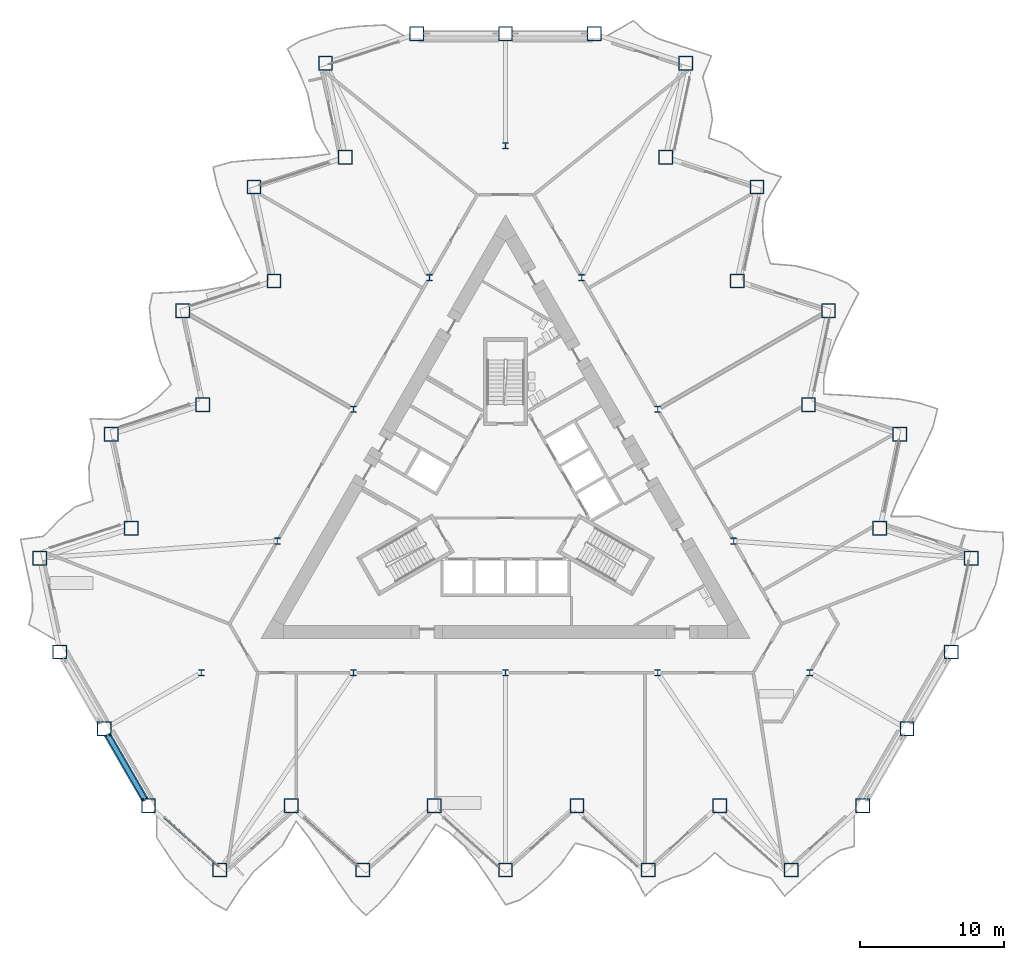
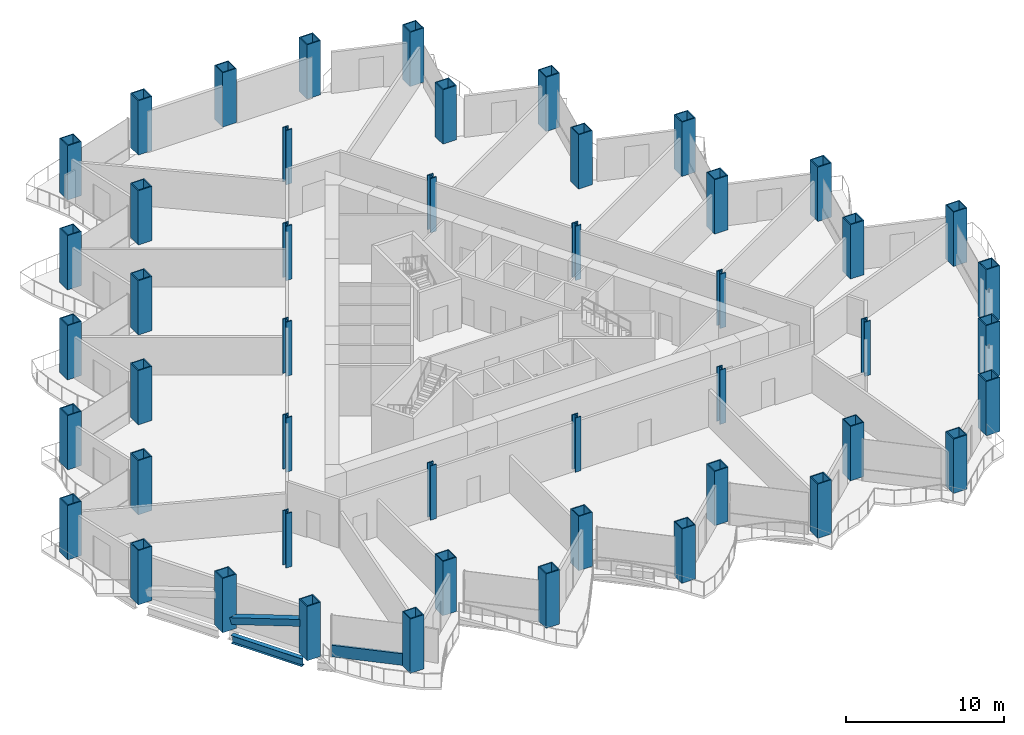
# One storey, part 1 of 21: 48 columns, 2 members, 1 beam, 1 element without a shape of its own.
"""IFC4 building model written with IfcOpenShell, lengths in metres."""

from ifc_helpers import new_model, si_unit, direction, frame, origin, origin_2d, place, context, subcontext, project, spatial, rectangle, hollow_rectangle, i_section, extrude, material, layer, layer_set, material_profile, profile_set, type_object, element, aggregate, save


model = new_model("IFC4")

# Units and contexts
model_context = context("Model", 3, precision=1e-05, world=origin(), true_north=direction((0.0, 1.0)))
body_context = subcontext(model_context, "Body", "Model", "MODEL_VIEW")
ifc_project = project(units=[si_unit("LENGTHUNIT", "METRE"), si_unit("AREAUNIT", "SQUARE_METRE"), si_unit("VOLUMEUNIT", "CUBIC_METRE"), si_unit("PLANEANGLEUNIT", "RADIAN"), si_unit("MASSUNIT", "GRAM", prefix="KILO")], contexts=[model_context])

# Site, building, storey
site_placement = place(None, origin())
site = spatial("IfcSite", under=ifc_project, at=site_placement, CompositionType="ELEMENT")
building_placement = place(site_placement, origin())
building = spatial("IfcBuilding", under=site, at=building_placement, Name="Cormorant Prow Tower", CompositionType="ELEMENT")
storey_placement = place(building_placement, frame((0.0, 0.0, 51.0)))
storey = spatial("IfcBuildingStorey", under=building, at=storey_placement, Name="L10", CompositionType="ELEMENT", Elevation=51.0)

# Columns
ifc_material_1 = material(Name="Structural steel ASTM A572 Gr 50", Category="steel")
ifc_material_profile_1 = material_profile(ifc_material_1, hollow_rectangle(XDim=1.0, YDim=1.0, WallThickness=0.070068359375, at=origin_2d()), Name="Box 1000x1000x70")
ifc_profile_set_1 = profile_set([ifc_material_profile_1], Name="Structural steel ASTM A572 Gr 50")
column_type_1 = type_object("IfcColumnType", Name="Perimeter box column 1000x1000x70", PredefinedType="COLUMN", material=ifc_profile_set_1)
for number, where, z_axis, x_axis, name in (
    (1, (-24.830322265625, -21.4599609375, 0.0), (0.0, 0.0, 1.0), (1.0, 0.0, 0.0), "Perimeter column C2 at S00 L10"),
    (2, (-19.8642578125, -25.931396484375, 0.0), (0.0, 0.0, 1.0), (1.0, 0.0, 0.0), "Perimeter column C2 at S01 L10"),
    (3, (-14.898193359375, -21.4599609375, 0.0), (0.0, 0.0, 1.0), (1.0, 0.0, 0.0), "Perimeter column C2 at S02 L10"),
    (4, (-9.93212890625, -25.931396484375, 0.0), (0.0, 0.0, 1.0), (1.0, 0.0, 0.0), "Perimeter column C2 at S03 L10"),
    (5, (-4.966064453125, -21.4599609375, 0.0), (0.0, 0.0, 1.0), (1.0, 0.0, 0.0), "Perimeter column C2 at S04 L10"),
    (6, (0.0, -25.931396484375, 0.0), (0.0, 0.0, 1.0), (1.0, 0.0, 0.0), "Perimeter column C2 at S05 L10"),
    (7, (4.966064453125, -21.4599609375, 0.0), (0.0, 0.0, 1.0), (1.0, 0.0, 0.0), "Perimeter column C2 at S06 L10"),
    (8, (9.93212890625, -25.931396484375, 0.0), (0.0, 0.0, 1.0), (1.0, 0.0, 0.0), "Perimeter column C2 at S07 L10"),
    (9, (14.898193359375, -21.4599609375, 0.0), (0.0, 0.0, 1.0), (1.0, 0.0, 0.0), "Perimeter column C2 at S08 L10"),
    (10, (19.8642578125, -25.931396484375, 0.0), (0.0, 0.0, 1.0), (1.0, 0.0, 0.0), "Perimeter column C2 at S09 L10"),
    (11, (24.830322265625, -21.4599609375, 0.0), (0.0, 0.0, 1.0), (1.0, 0.0, 0.0), "Perimeter column C2 at ESE00 L10"),
    (12, (27.915283203125, -16.116943359375, 0.0), (0.0, 0.0, 1.0), (1.0, 0.0, 0.0), "Perimeter column C2 at ESE01 L10"),
    (13, (31.0, -10.773681640625, 0.0), (0.0, 0.0, 1.0), (1.0, 0.0, 0.0), "Perimeter column C2 at ENE00 L10"),
    (14, (32.389404296875, -4.2373046875, 0.0), (0.0, 0.0, 1.0), (1.0, 0.0, 0.0), "Perimeter column C2 at ENE01 L10"),
    (15, (26.033935546875, -2.17236328125, 0.0), (0.0, 0.0, 1.0), (1.0, 0.0, 0.0), "Perimeter column C2 at ENE02 L10"),
    (16, (27.42333984375, 4.3642578125, 0.0), (0.0, 0.0, 1.0), (1.0, 0.0, 0.0), "Perimeter column C2 at ENE03 L10"),
    (17, (21.06787109375, 6.42919921875, 0.0), (0.0, 0.0, 1.0), (1.0, 0.0, 0.0), "Perimeter column C2 at ENE04 L10"),
    (18, (22.457275390625, 12.965576171875, 0.0), (0.0, 0.0, 1.0), (1.0, 0.0, 0.0), "Perimeter column C2 at ENE05 L10"),
    (19, (16.101806640625, 15.03076171875, 0.0), (0.0, 0.0, 1.0), (1.0, 0.0, 0.0), "Perimeter column C2 at ENE06 L10"),
    (20, (17.4912109375, 21.567138671875, 0.0), (0.0, 0.0, 1.0), (1.0, 0.0, 0.0), "Perimeter column C2 at ENE07 L10"),
    (21, (11.1357421875, 23.632080078125, 0.0), (0.0, 0.0, 1.0), (1.0, 0.0, 0.0), "Perimeter column C2 at ENE08 L10"),
    (22, (12.525146484375, 30.168701171875, 0.0), (0.0, 0.0, 1.0), (1.0, 0.0, 0.0), "Perimeter column C2 at ENE09 L10"),
    (23, (6.169677734375, 32.233642578125, 0.0), (0.0, 0.0, 1.0), (1.0, 0.0, 0.0), "Perimeter column C2 at N00 L10"),
    (24, (0.0, 32.233642578125, 0.0), (0.0, 0.0, 1.0), (1.0, 0.0, 0.0), "Perimeter column C2 at N01 L10"),
    (25, (-6.169677734375, 32.233642578125, 0.0), (0.0, 0.0, 1.0), (1.0, 0.0, 0.0), "Perimeter column C2 at WNW00 L10"),
    (26, (-12.525146484375, 30.168701171875, 0.0), (0.0, 0.0, 1.0), (1.0, 0.0, 0.0), "Perimeter column C2 at WNW01 L10"),
    (27, (-11.1357421875, 23.632080078125, 0.0), (0.0, 0.0, 1.0), (1.0, 0.0, 0.0), "Perimeter column C2 at WNW02 L10"),
    (28, (-17.4912109375, 21.567138671875, 0.0), (0.0, 0.0, 1.0), (1.0, 0.0, 0.0), "Perimeter column C2 at WNW03 L10"),
    (29, (-16.101806640625, 15.03076171875, 0.0), (0.0, 0.0, 1.0), (1.0, 0.0, 0.0), "Perimeter column C2 at WNW04 L10"),
    (30, (-22.457275390625, 12.965576171875, 0.0), (0.0, 0.0, 1.0), (1.0, 0.0, 0.0), "Perimeter column C2 at WNW05 L10"),
    (31, (-21.06787109375, 6.42919921875, 0.0), (0.0, 0.0, 1.0), (1.0, 0.0, 0.0), "Perimeter column C2 at WNW06 L10"),
    (32, (-27.42333984375, 4.3642578125, 0.0), (0.0, 0.0, 1.0), (1.0, 0.0, 0.0), "Perimeter column C2 at WNW07 L10"),
    (33, (-26.033935546875, -2.17236328125, 0.0), (0.0, 0.0, 1.0), (1.0, 0.0, 0.0), "Perimeter column C2 at WNW08 L10"),
    (34, (-32.389404296875, -4.2373046875, 0.0), (0.0, 0.0, 1.0), (1.0, 0.0, 0.0), "Perimeter column C2 at WNW09 L10"),
    (35, (-31.0, -10.773681640625, 0.0), (0.0, 0.0, 1.0), (1.0, 0.0, 0.0), "Perimeter column C2 at WSW00 L10"),
    (36, (-27.915283203125, -16.116943359375, 0.0), (0.0, 0.0, 1.0), (1.0, 0.0, 0.0), "Perimeter column C2 at WSW01 L10"),
):
    element("IfcColumn", number, at=place(storey_placement, frame(where, z_axis=z_axis, x_axis=x_axis)), inside=storey, type_object=column_type_1, Name=name, PredefinedType="COLUMN", context=body_context, shape_type="SweptSolid", body=[
        extrude(hollow_rectangle(XDim=1.0, YDim=1.0, WallThickness=0.070068359375, at=origin_2d()), origin(), (0.0, 0.0, 1.0), 4.199951171875),
    ])
ifc_material_2 = material(Name="Structural steel ASTM A992 Gr 50", Category="steel")
ifc_material_profile_2 = material_profile(ifc_material_2, i_section(OverallWidth=0.42138671875, OverallDepth=0.464599609375, WebThickness=0.044921875, FlangeThickness=0.072265625, at=origin_2d()), Name="W14x398")
ifc_profile_set_2 = profile_set([ifc_material_profile_2], Name="Structural steel ASTM A992 Gr 50")
column_type_2 = type_object("IfcColumnType", Name="Ring column W14x398", PredefinedType="COLUMN", material=ifc_profile_set_2)
for number, where, z_axis, x_axis, name in (
    (37, (0.0, 24.429931640625, 0.0), (0.0, 0.0, 1.0), (1.0, 0.0, 0.0), "Ring column 1 L10"),
    (38, (-5.289306640625, 15.268798828125, 0.0), (0.0, 0.0, 1.0), (1.0, 0.0, 0.0), "Ring column 2 L10"),
    (39, (-10.578369140625, 6.107421875, 0.0), (0.0, 0.0, 1.0), (1.0, 0.0, 0.0), "Ring column 3 L10"),
    (40, (-15.86767578125, -3.0537109375, 0.0), (0.0, 0.0, 1.0), (1.0, 0.0, 0.0), "Ring column 4 L10"),
    (41, (-21.156982421875, -12.21484375, 0.0), (0.0, 0.0, 1.0), (1.0, 0.0, 0.0), "Ring column 5 L10"),
    (42, (-10.578369140625, -12.21484375, 0.0), (0.0, 0.0, 1.0), (1.0, 0.0, 0.0), "Ring column 6 L10"),
    (43, (0.0, -12.21484375, 0.0), (0.0, 0.0, 1.0), (1.0, 0.0, 0.0), "Ring column 7 L10"),
    (44, (10.578369140625, -12.21484375, 0.0), (0.0, 0.0, 1.0), (1.0, 0.0, 0.0), "Ring column 8 L10"),
    (45, (21.156982421875, -12.21484375, 0.0), (0.0, 0.0, 1.0), (1.0, 0.0, 0.0), "Ring column 9 L10"),
    (46, (15.86767578125, -3.0537109375, 0.0), (0.0, 0.0, 1.0), (1.0, 0.0, 0.0), "Ring column 10 L10"),
    (47, (10.578369140625, 6.107421875, 0.0), (0.0, 0.0, 1.0), (1.0, 0.0, 0.0), "Ring column 11 L10"),
    (48, (5.289306640625, 15.268798828125, 0.0), (0.0, 0.0, 1.0), (1.0, 0.0, 0.0), "Ring column 12 L10"),
):
    element("IfcColumn", number, at=place(storey_placement, frame(where, z_axis=z_axis, x_axis=x_axis)), inside=storey, type_object=column_type_2, Name=name, PredefinedType="COLUMN", context=body_context, shape_type="SweptSolid", body=[
        extrude(i_section(OverallWidth=0.42138671875, OverallDepth=0.464599609375, WebThickness=0.044921875, FlangeThickness=0.072265625, at=origin_2d()), origin(), (0.0, 0.0, 1.0), 4.199951171875),
    ])

# Member
ifc_material_3 = material(Name="Structural steel ASTM A500 Gr C", Category="steel")
ifc_material_profile_3 = material_profile(ifc_material_3, hollow_rectangle(XDim=0.508056640625, YDim=0.508056640625, WallThickness=0.014892578125, at=origin_2d()), Name="HSS20x20x5/8")
ifc_profile_set_3 = profile_set([ifc_material_profile_3], Name="Structural steel ASTM A500 Gr C")
member_type_1 = type_object("IfcMemberType", Name="Chamfer brace HSS20x20x5/8", PredefinedType="BRACE", material=ifc_profile_set_3)
member_1_placement = place(storey_placement, frame((-27.65576171875, -16.566162109375, 0.767333984375), z_axis=(0.475899695849, -0.824255918841, 0.306792535351), x_axis=(0.866018434186, 0.500012071504, 0.0)))
element("IfcMember", 49, at=member_1_placement, inside=storey, type_object=member_type_1, Name="Chamfer brace BR1 at WSW01 L10", PredefinedType="BRACE", context=body_context, shape_type="SweptSolid", body=[
    extrude(hollow_rectangle(XDim=0.508056640625, YDim=0.508056640625, WallThickness=0.014892578125, at=origin_2d()), origin(), (0.0, 0.0, 1.0), 5.392333984375),
])

# Curtain wall, member
ifc_material_4 = material(Name="Aluminium 6063-T6", Category="aluminium")
ifc_layer = layer(ifc_material_4, 0.199951171875)
ifc_layer_set = layer_set([ifc_layer], Name="Aluminium 6063-T6")
curtain_wall_type = type_object("IfcCurtainWallType", Name="Office unitised curtain wall 200", PredefinedType="NOTDEFINED", material=ifc_layer_set)
curtain_wall_placement = place(storey_placement, origin())
curtain_wall = element("IfcCurtainWall", 50, at=curtain_wall_placement, inside=storey, type_object=curtain_wall_type, Name="Office curtain wall S00", PredefinedType="NOTDEFINED")
ifc_material_5 = material(Name="Terracotta", Category="masonry")
ifc_material_profile_4 = material_profile(ifc_material_5, rectangle(XDim=0.159912109375, YDim=0.89990234375, at=origin_2d()), Name="Office terracotta spandrel rail 160x900")
ifc_profile_set_4 = profile_set([ifc_material_profile_4], Name="Terracotta")
member_type_2 = type_object("IfcMemberType", Name="Office terracotta spandrel rail 160x900", PredefinedType="USERDEFINED", material=ifc_profile_set_4)
member_2_placement = place(storey_placement, frame((-23.6962890625, -22.2978515625, 0.449951171875), z_axis=(0.743140700473, -0.669135187612, 0.0), x_axis=(0.669135187612, 0.743140700473, 0.0)))
member_2 = element("IfcMember", 51, at=member_2_placement, type_object=member_type_2, Name="Office spandrel rail S00", ObjectType="TRANSOM", PredefinedType="USERDEFINED", context=body_context, shape_type="SweptSolid", body=[
    extrude(rectangle(XDim=0.159912109375, YDim=0.89990234375, at=origin_2d()), origin(), (0.0, 0.0, 1.0), 5.06396484375),
])
aggregate(curtain_wall, [member_2])

# Beam
ifc_material_6 = material(Name="Structural steel ASTM A992 Gr 50", Category="steel")
ifc_material_profile_5 = material_profile(ifc_material_6, i_section(OverallWidth=0.32373046875, OverallDepth=0.611083984375, WebThickness=0.0126953125, FlangeThickness=0.01904296875, at=origin_2d()), Name="W24x104")
ifc_profile_set_5 = profile_set([ifc_material_profile_5], Name="Structural steel ASTM A992 Gr 50")
beam_type = type_object("IfcBeamType", Name="Spandrel beam W24x104", PredefinedType="SPANDREL", material=ifc_profile_set_5)
beam_placement = place(storey_placement, frame((-27.665283203125, -16.5498046875, -0.70556640625), z_axis=(0.500019507279, -0.866014140959, 0.0), x_axis=(0.866014140959, 0.500019507279, 0.0)))
element("IfcBeam", 52, at=beam_placement, inside=storey, type_object=beam_type, Name="Spandrel beam SB1 WSW01-S00 L10", PredefinedType="SPANDREL", context=body_context, shape_type="SweptSolid", body=[
    extrude(i_section(OverallWidth=0.32373046875, OverallDepth=0.611083984375, WebThickness=0.0126953125, FlangeThickness=0.01904296875, at=origin_2d()), origin(), (0.0, 0.0, 1.0), 5.169677734375),
])

save(model, "model.ifc")
